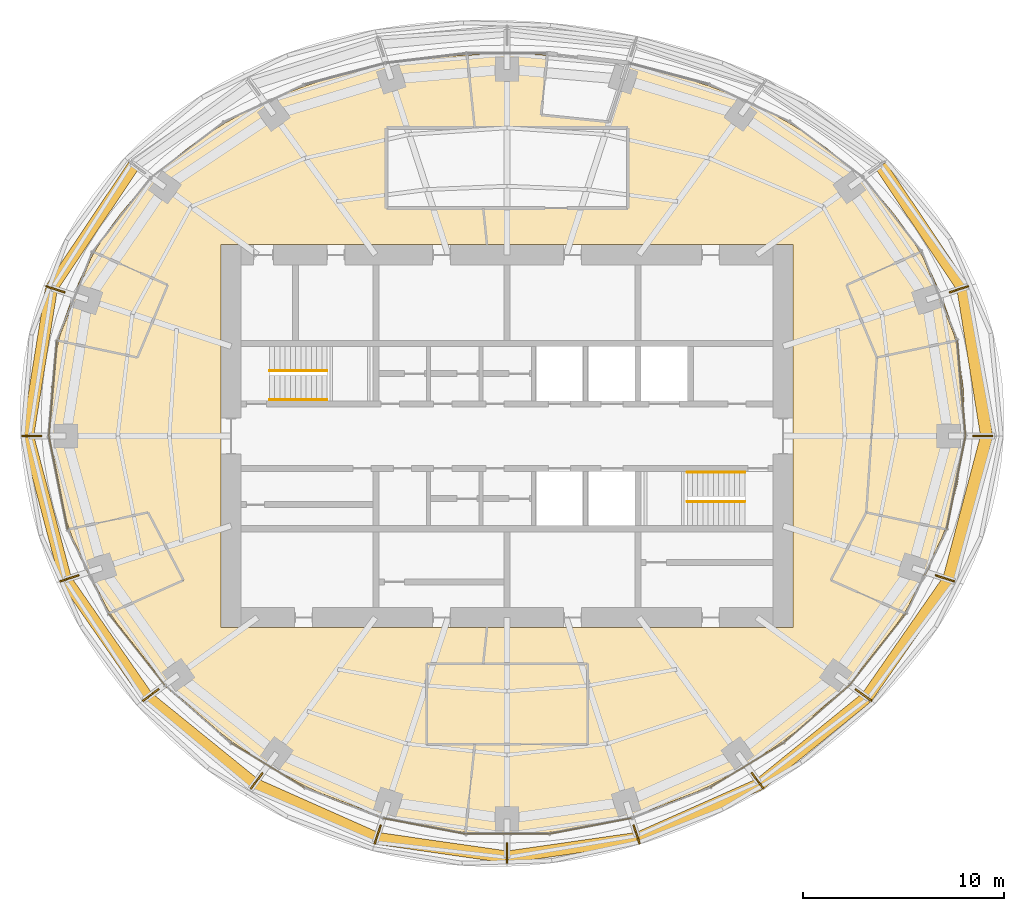
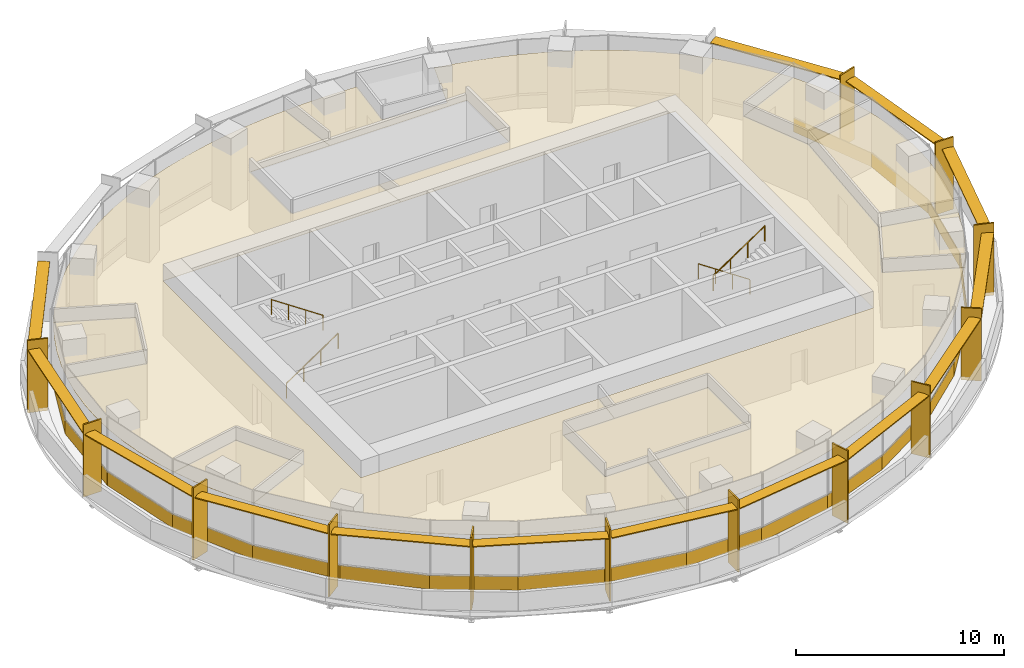
# One storey, part 14 of 15: 27 coverings, 27 shading devices, 4 railings.
"""IFC4 building model written with IfcOpenShell, lengths in metres."""

from ifc_helpers import new_model, si_unit, direction, frame, origin, origin_2d, place, context, subcontext, project, spatial, polyline, rectangle, circle, outline, extrude, material, layer, layer_set, type_object, element, save


model = new_model("IFC4")

# Units and contexts
model_context = context("Model", 3, precision=1e-05, world=origin(), true_north=direction((0.0, 1.0)))
body_context = subcontext(model_context, "Body", "Model", "MODEL_VIEW")
ifc_project = project(units=[si_unit("LENGTHUNIT", "METRE"), si_unit("AREAUNIT", "SQUARE_METRE"), si_unit("VOLUMEUNIT", "CUBIC_METRE"), si_unit("PLANEANGLEUNIT", "RADIAN"), si_unit("MASSUNIT", "GRAM", prefix="KILO")], contexts=[model_context])

# Site, building, storey
site_placement = place(None, origin())
site = spatial("IfcSite", under=ifc_project, at=site_placement, CompositionType="ELEMENT")
building_placement = place(site_placement, origin())
building = spatial("IfcBuilding", under=site, at=building_placement, Name="Marramba Exchange Tower", CompositionType="ELEMENT")
storey_placement = place(building_placement, frame((0.0, 0.0, 251.800048828125)))
storey = spatial("IfcBuildingStorey", under=building, at=storey_placement, Name="L61", CompositionType="ELEMENT", Elevation=251.800048828125)

# Shading devices
ifc_material_1 = material(Name="Aluminium blade, timber-look bronze finish", Category="wood")
ifc_layer_1 = layer(ifc_material_1, 0.080078125)
ifc_layer_set_1 = layer_set([ifc_layer_1], Name="Floor-edge blade 1000x80")
shading_device_type_1 = type_object("IfcShadingDeviceType", Name="Floor-edge blade 1000x80", PredefinedType="USERDEFINED", material=ifc_layer_set_1)
for number, where, z_axis, x_axis, name in (
    (1, (23.60009765625, 0.0, -0.2001953125), (0.0, 0.0, 1.0), (1.0, 0.0, 0.0), "Floor-edge blade FB1 L61 TC01"),
    (2, (22.425048828125, 7.286376953125, -0.2001953125), (0.0, 0.0, 1.0), (0.951056516295, 0.309016994375, 0.0), "Floor-edge blade FB1 L61 TC02"),
    (3, (-22.425048828125, 7.286376953125, -0.2001953125), (0.0, 0.0, 1.0), (-0.951056516295, 0.309016994375, 0.0), "Floor-edge blade FB1 L61 TC10"),
    (4, (-23.60009765625, 0.0, -0.2001953125), (0.0, 0.0, 1.0), (-1.0, 0.0, 0.0), "Floor-edge blade FB1 L61 TC11"),
    (5, (-21.72607421875, -7.059326171875, -0.2001953125), (0.0, 0.0, 1.0), (-0.951056516295, -0.309016994375, 0.0), "Floor-edge blade FB1 L61 TC12"),
    (6, (-17.690673828125, -12.85302734375, -0.2001953125), (0.0, 0.0, 1.0), (-0.809016994375, -0.587785252292, 0.0), "Floor-edge blade FB1 L61 TC13"),
    (7, (-12.4296875, -17.10791015625, -0.2001953125), (0.0, 0.0, 1.0), (-0.587785252292, -0.809016994375, 0.0), "Floor-edge blade FB1 L61 TC14"),
    (8, (-6.4248046875, -19.77392578125, -0.2001953125), (0.0, 0.0, 1.0), (-0.309016994375, -0.951056516295, 0.0), "Floor-edge blade FB1 L61 TC15"),
    (9, (0.0, -20.696044921875, -0.2001953125), (0.0, 0.0, 1.0), (0.0, -1.0, 0.0), "Floor-edge blade FB1 L61 TC16"),
    (10, (6.4248046875, -19.77392578125, -0.2001953125), (0.0, 0.0, 1.0), (0.309016994375, -0.951056516295, 0.0), "Floor-edge blade FB1 L61 TC17"),
    (11, (12.4296875, -17.10791015625, -0.2001953125), (0.0, 0.0, 1.0), (0.587785252292, -0.809016994375, 0.0), "Floor-edge blade FB1 L61 TC18"),
    (12, (17.690673828125, -12.85302734375, -0.2001953125), (0.0, 0.0, 1.0), (0.809016994375, -0.587785252292, 0.0), "Floor-edge blade FB1 L61 TC19"),
    (13, (21.72607421875, -7.059326171875, -0.2001953125), (0.0, 0.0, 1.0), (0.951056516295, -0.309016994375, 0.0), "Floor-edge blade FB1 L61 TC20"),
):
    element("IfcShadingDevice", number, at=place(storey_placement, frame(where, z_axis=z_axis, x_axis=x_axis)), inside=storey, type_object=shading_device_type_1, Name=name, ObjectType="FIN", PredefinedType="USERDEFINED", context=body_context, shape_type="SweptSolid", body=[
        extrude(rectangle(XDim=1.0, YDim=0.080078125, at=origin_2d()), origin(), (0.0, 0.0, 1.0), 4.239990234375),
    ])
ifc_material_2 = material(Name="Aluminium sunshade, bronze anodised", Category="aluminium")
ifc_layer_2 = layer(ifc_material_2, 0.06005859375)
ifc_layer_set_2 = layer_set([ifc_layer_2], Name="SUNSHADE blade 600x60")
shading_device_type_2 = type_object("IfcShadingDeviceType", Name="SUNSHADE blade 600x60", PredefinedType="USERDEFINED", material=ifc_layer_set_2)
shading_device_1_placement = place(storey_placement, frame((23.207763671875, 3.674072265625, 3.4599609375), z_axis=(0.0, 0.0, 1.0), x_axis=(-0.159157708434, 0.9872531711, 0.0)))
element("IfcShadingDevice", 14, at=shading_device_1_placement, inside=storey, type_object=shading_device_type_2, Name="Sunshade SS1 L61 bay 01", ObjectType="SUNSHADE", PredefinedType="USERDEFINED", context=body_context, shape_type="SweptSolid", body=[
    extrude(rectangle(XDim=7.363037109375, YDim=0.60009765625, at=origin_2d()), origin(), (0.0, 0.0, 1.0), 0.06005859375),
])
for number, where, z_axis, x_axis, name in (
    (15, (20.569091796875, 10.40283203125, 3.4599609375), (0.0, 0.0, 1.0), (-0.556539553467, 0.830821115179, 0.0), "Sunshade SS1 L61 bay 02"),
    (16, (-20.569091796875, 10.40283203125, 3.4599609375), (0.0, 0.0, 1.0), (-0.556539553467, -0.830821115179, 0.0), "Sunshade SS1 L61 bay 09"),
):
    element("IfcShadingDevice", number, at=place(storey_placement, frame(where, z_axis=z_axis, x_axis=x_axis)), inside=storey, type_object=shading_device_type_2, Name=name, ObjectType="SUNSHADE", PredefinedType="USERDEFINED", context=body_context, shape_type="SweptSolid", body=[
        extrude(rectangle(XDim=7.2734375, YDim=0.60009765625, at=origin_2d()), origin(), (0.0, 0.0, 1.0), 0.06005859375),
    ])
shading_device_2_placement = place(storey_placement, frame((-23.207763671875, 3.674072265625, 3.4599609375), z_axis=(0.0, 0.0, 1.0), x_axis=(-0.159157708434, -0.9872531711, 0.0)))
element("IfcShadingDevice", 17, at=shading_device_2_placement, inside=storey, type_object=shading_device_type_2, Name="Sunshade SS1 L61 bay 10", ObjectType="SUNSHADE", PredefinedType="USERDEFINED", context=body_context, shape_type="SweptSolid", body=[
    extrude(rectangle(XDim=7.363037109375, YDim=0.60009765625, at=origin_2d()), origin(), (0.0, 0.0, 1.0), 0.06005859375),
])
shading_device_3_placement = place(storey_placement, frame((-22.858154296875, -3.560546875, 3.4599609375), z_axis=(0.0, 0.0, 1.0), x_axis=(0.25571852004, -0.966751280583, 0.0)))
element("IfcShadingDevice", 18, at=shading_device_3_placement, inside=storey, type_object=shading_device_type_2, Name="Sunshade SS1 L61 bay 11", ObjectType="SUNSHADE", PredefinedType="USERDEFINED", context=body_context, shape_type="SweptSolid", body=[
    extrude(rectangle(XDim=7.285888671875, YDim=0.60009765625, at=origin_2d()), origin(), (0.0, 0.0, 1.0), 0.06005859375),
])
shading_device_4_placement = place(storey_placement, frame((-19.884521484375, -10.0458984375, 3.4599609375), z_axis=(0.0, 0.0, 1.0), x_axis=(0.570557728211, -0.821257498461, 0.0)))
element("IfcShadingDevice", 19, at=shading_device_4_placement, inside=storey, type_object=shading_device_type_2, Name="Sunshade SS1 L61 bay 12", ObjectType="SUNSHADE", PredefinedType="USERDEFINED", context=body_context, shape_type="SweptSolid", body=[
    extrude(rectangle(XDim=7.042724609375, YDim=0.60009765625, at=origin_2d()), origin(), (0.0, 0.0, 1.0), 0.06005859375),
])
shading_device_5_placement = place(storey_placement, frame((-15.199951171875, -15.1201171875, 3.4599609375), z_axis=(0.0, 0.0, 1.0), x_axis=(0.77692769033, -0.629589837909, 0.0)))
element("IfcShadingDevice", 20, at=shading_device_5_placement, inside=storey, type_object=shading_device_type_2, Name="Sunshade SS1 L61 bay 13", ObjectType="SUNSHADE", PredefinedType="USERDEFINED", context=body_context, shape_type="SweptSolid", body=[
    extrude(rectangle(XDim=6.74853515625, YDim=0.60009765625, at=origin_2d()), origin(), (0.0, 0.0, 1.0), 0.06005859375),
])
shading_device_6_placement = place(storey_placement, frame((-9.51708984375, -18.616943359375, 3.4599609375), z_axis=(0.0, 0.0, 1.0), x_axis=(0.913771139733, -0.406229373864, 0.0)))
element("IfcShadingDevice", 21, at=shading_device_6_placement, inside=storey, type_object=shading_device_type_2, Name="Sunshade SS1 L61 bay 14", ObjectType="SUNSHADE", PredefinedType="USERDEFINED", context=body_context, shape_type="SweptSolid", body=[
    extrude(rectangle(XDim=6.552490234375, YDim=0.60009765625, at=origin_2d()), origin(), (0.0, 0.0, 1.0), 0.06005859375),
])
for number, where, z_axis, x_axis, name in (
    (22, (-3.243408203125, -20.429931640625, 3.4599609375), (0.0, 0.0, 1.0), (0.989836541125, -0.142209781145, 0.0), "Sunshade SS1 L61 bay 15"),
    (23, (3.243408203125, -20.429931640625, 3.4599609375), (0.0, 0.0, 1.0), (0.989836541125, 0.142209781145, 0.0), "Sunshade SS1 L61 bay 16"),
):
    element("IfcShadingDevice", number, at=place(storey_placement, frame(where, z_axis=z_axis, x_axis=x_axis)), inside=storey, type_object=shading_device_type_2, Name=name, ObjectType="SUNSHADE", PredefinedType="USERDEFINED", context=body_context, shape_type="SweptSolid", body=[
        extrude(rectangle(XDim=6.473388671875, YDim=0.60009765625, at=origin_2d()), origin(), (0.0, 0.0, 1.0), 0.06005859375),
    ])
shading_device_7_placement = place(storey_placement, frame((9.51708984375, -18.616943359375, 3.4599609375), z_axis=(0.0, 0.0, 1.0), x_axis=(0.913771139733, 0.406229373864, 0.0)))
element("IfcShadingDevice", 24, at=shading_device_7_placement, inside=storey, type_object=shading_device_type_2, Name="Sunshade SS1 L61 bay 17", ObjectType="SUNSHADE", PredefinedType="USERDEFINED", context=body_context, shape_type="SweptSolid", body=[
    extrude(rectangle(XDim=6.552490234375, YDim=0.60009765625, at=origin_2d()), origin(), (0.0, 0.0, 1.0), 0.06005859375),
])
shading_device_8_placement = place(storey_placement, frame((15.199951171875, -15.1201171875, 3.4599609375), z_axis=(0.0, 0.0, 1.0), x_axis=(0.77692769033, 0.629589837909, 0.0)))
element("IfcShadingDevice", 25, at=shading_device_8_placement, inside=storey, type_object=shading_device_type_2, Name="Sunshade SS1 L61 bay 18", ObjectType="SUNSHADE", PredefinedType="USERDEFINED", context=body_context, shape_type="SweptSolid", body=[
    extrude(rectangle(XDim=6.74853515625, YDim=0.60009765625, at=origin_2d()), origin(), (0.0, 0.0, 1.0), 0.06005859375),
])
shading_device_9_placement = place(storey_placement, frame((19.884521484375, -10.0458984375, 3.4599609375), z_axis=(0.0, 0.0, 1.0), x_axis=(0.570557728211, 0.821257498461, 0.0)))
element("IfcShadingDevice", 26, at=shading_device_9_placement, inside=storey, type_object=shading_device_type_2, Name="Sunshade SS1 L61 bay 19", ObjectType="SUNSHADE", PredefinedType="USERDEFINED", context=body_context, shape_type="SweptSolid", body=[
    extrude(rectangle(XDim=7.042724609375, YDim=0.60009765625, at=origin_2d()), origin(), (0.0, 0.0, 1.0), 0.06005859375),
])
shading_device_10_placement = place(storey_placement, frame((22.858154296875, -3.560546875, 3.4599609375), z_axis=(0.0, 0.0, 1.0), x_axis=(0.25571852004, 0.966751280583, 0.0)))
element("IfcShadingDevice", 27, at=shading_device_10_placement, inside=storey, type_object=shading_device_type_2, Name="Sunshade SS1 L61 bay 20", ObjectType="SUNSHADE", PredefinedType="USERDEFINED", context=body_context, shape_type="SweptSolid", body=[
    extrude(rectangle(XDim=7.285888671875, YDim=0.60009765625, at=origin_2d()), origin(), (0.0, 0.0, 1.0), 0.06005859375),
])

# Coverings
ifc_material_3 = material(Name="Aluminium spandrel panel, bronze anodised, insulated", Category="aluminium")
ifc_layer_3 = layer(ifc_material_3, 0.050048828125)
ifc_layer_set_3 = layer_set([ifc_layer_3], Name="Spandrel panel 800")
covering_type_1 = type_object("IfcCoveringType", Name="Spandrel panel 800", PredefinedType="CLADDING", material=ifc_layer_set_3)
covering_1_placement = place(storey_placement, frame((22.546142578125, 2.37451171875, 0.0), z_axis=(0.0, 0.0, 1.0), x_axis=(-0.085574001482, 0.996331817353, 0.0)))
element("IfcCovering", 28, at=covering_1_placement, inside=storey, type_object=covering_type_1, Name="Spandrel panel SP1 L61 F01", PredefinedType="CLADDING", context=body_context, shape_type="SweptSolid", body=[
    extrude(rectangle(XDim=4.766357421875, YDim=0.050048828125, at=origin_2d()), origin(), (0.0, 0.0, 1.0), 0.800048828125),
])
for number, where, z_axis, x_axis, name in (
    (29, (21.455810546875, 6.95361328125, 0.0), (0.0, 0.0, 1.0), (-0.37298308637, 0.927838141748, 0.0), "Spandrel panel SP1 L61 F02"),
    (30, (-21.455810546875, 6.95361328125, 0.0), (0.0, 0.0, 1.0), (-0.37298308637, -0.927838141748, 0.0), "Spandrel panel SP1 L61 F14"),
):
    element("IfcCovering", number, at=place(storey_placement, frame(where, z_axis=z_axis, x_axis=x_axis)), inside=storey, type_object=covering_type_1, Name=name, PredefinedType="CLADDING", context=body_context, shape_type="SweptSolid", body=[
        extrude(rectangle(XDim=4.752197265625, YDim=0.050048828125, at=origin_2d()), origin(), (0.0, 0.0, 1.0), 0.800048828125),
    ])
covering_2_placement = place(storey_placement, frame((-22.546142578125, 2.37451171875, 0.0), z_axis=(0.0, 0.0, 1.0), x_axis=(-0.085574001482, -0.996331817353, 0.0)))
element("IfcCovering", 31, at=covering_2_placement, inside=storey, type_object=covering_type_1, Name="Spandrel panel SP1 L61 F15", PredefinedType="CLADDING", context=body_context, shape_type="SweptSolid", body=[
    extrude(rectangle(XDim=4.766357421875, YDim=0.050048828125, at=origin_2d()), origin(), (0.0, 0.0, 1.0), 0.800048828125),
])
covering_3_placement = place(storey_placement, frame((-22.282470703125, -2.318359375, 0.0), z_axis=(0.0, 0.0, 1.0), x_axis=(0.197670531369, -0.980268514759, 0.0)))
element("IfcCovering", 32, at=covering_3_placement, inside=storey, type_object=covering_type_1, Name="Spandrel panel SP1 L61 F16", PredefinedType="CLADDING", context=body_context, shape_type="SweptSolid", body=[
    extrude(rectangle(XDim=4.730224609375, YDim=0.050048828125, at=origin_2d()), origin(), (0.0, 0.0, 1.0), 0.800048828125),
])
covering_4_placement = place(storey_placement, frame((-20.802490234375, -6.723876953125, 0.0), z_axis=(0.0, 0.0, 1.0), x_axis=(0.436514592932, -0.89969717692, 0.0)))
element("IfcCovering", 33, at=covering_4_placement, inside=storey, type_object=covering_type_1, Name="Spandrel panel SP1 L61 F17", PredefinedType="CLADDING", context=body_context, shape_type="SweptSolid", body=[
    extrude(rectangle(XDim=4.639404296875, YDim=0.050048828125, at=origin_2d()), origin(), (0.0, 0.0, 1.0), 0.800048828125),
])
covering_5_placement = place(storey_placement, frame((-18.396484375, -10.582275390625, 0.0), z_axis=(0.0, 0.0, 1.0), x_axis=(0.618290638357, -0.785949544513, 0.0)))
element("IfcCovering", 34, at=covering_5_placement, inside=storey, type_object=covering_type_1, Name="Spandrel panel SP1 L61 F18", PredefinedType="CLADDING", context=body_context, shape_type="SweptSolid", body=[
    extrude(rectangle(XDim=4.50732421875, YDim=0.050048828125, at=origin_2d()), origin(), (0.0, 0.0, 1.0), 0.800048828125),
])
covering_6_placement = place(storey_placement, frame((-15.358154296875, -13.791748046875, 0.0), z_axis=(0.0, 0.0, 1.0), x_axis=(0.752751054625, -0.658305286141, 0.0)))
element("IfcCovering", 35, at=covering_6_placement, inside=storey, type_object=covering_type_1, Name="Spandrel panel SP1 L61 F19", PredefinedType="CLADDING", context=body_context, shape_type="SweptSolid", body=[
    extrude(rectangle(XDim=4.3701171875, YDim=0.050048828125, at=origin_2d()), origin(), (0.0, 0.0, 1.0), 0.800048828125),
])
covering_7_placement = place(storey_placement, frame((-11.89208984375, -16.336669921875, 0.0), z_axis=(0.0, 0.0, 1.0), x_axis=(0.854704332048, -0.519115117077, 0.0)))
element("IfcCovering", 36, at=covering_7_placement, inside=storey, type_object=covering_type_1, Name="Spandrel panel SP1 L61 F20", PredefinedType="CLADDING", context=body_context, shape_type="SweptSolid", body=[
    extrude(rectangle(XDim=4.261962890625, YDim=0.050048828125, at=origin_2d()), origin(), (0.0, 0.0, 1.0), 0.800048828125),
])
covering_8_placement = place(storey_placement, frame((-8.116455078125, -18.2041015625, 0.0), z_axis=(0.0, 0.0, 1.0), x_axis=(0.931785135173, -0.363010277914, 0.0)))
element("IfcCovering", 37, at=covering_8_placement, inside=storey, type_object=covering_type_1, Name="Spandrel panel SP1 L61 F21", PredefinedType="CLADDING", context=body_context, shape_type="SweptSolid", body=[
    extrude(rectangle(XDim=4.194580078125, YDim=0.050048828125, at=origin_2d()), origin(), (0.0, 0.0, 1.0), 0.800048828125),
])
covering_9_placement = place(storey_placement, frame((-4.118896484375, -19.356201171875, 0.0), z_axis=(0.0, 0.0, 1.0), x_axis=(0.982193292652, -0.187873190928, 0.0)))
element("IfcCovering", 38, at=covering_9_placement, inside=storey, type_object=covering_type_1, Name="Spandrel panel SP1 L61 F22", PredefinedType="CLADDING", context=body_context, shape_type="SweptSolid", body=[
    extrude(rectangle(XDim=4.160888671875, YDim=0.050048828125, at=origin_2d()), origin(), (0.0, 0.0, 1.0), 0.800048828125),
])
covering_10_placement = place(storey_placement, frame((0.0, -19.7470703125, 0.0), z_axis=(0.0, 0.0, 1.0), x_axis=(1.0, 0.0, 0.0)))
element("IfcCovering", 39, at=covering_10_placement, inside=storey, type_object=covering_type_1, Name="Spandrel panel SP1 L61 F23", PredefinedType="CLADDING", context=body_context, shape_type="SweptSolid", body=[
    extrude(rectangle(XDim=4.151123046875, YDim=0.050048828125, at=origin_2d()), origin(), (0.0, 0.0, 1.0), 0.800048828125),
])
covering_11_placement = place(storey_placement, frame((4.118896484375, -19.356201171875, 0.0), z_axis=(0.0, 0.0, 1.0), x_axis=(0.982193292652, 0.187873190928, 0.0)))
element("IfcCovering", 40, at=covering_11_placement, inside=storey, type_object=covering_type_1, Name="Spandrel panel SP1 L61 F24", PredefinedType="CLADDING", context=body_context, shape_type="SweptSolid", body=[
    extrude(rectangle(XDim=4.160888671875, YDim=0.050048828125, at=origin_2d()), origin(), (0.0, 0.0, 1.0), 0.800048828125),
])
covering_12_placement = place(storey_placement, frame((8.116455078125, -18.2041015625, 0.0), z_axis=(0.0, 0.0, 1.0), x_axis=(0.931785135173, 0.363010277914, 0.0)))
element("IfcCovering", 41, at=covering_12_placement, inside=storey, type_object=covering_type_1, Name="Spandrel panel SP1 L61 F25", PredefinedType="CLADDING", context=body_context, shape_type="SweptSolid", body=[
    extrude(rectangle(XDim=4.194580078125, YDim=0.050048828125, at=origin_2d()), origin(), (0.0, 0.0, 1.0), 0.800048828125),
])
covering_13_placement = place(storey_placement, frame((11.89208984375, -16.336669921875, 0.0), z_axis=(0.0, 0.0, 1.0), x_axis=(0.854704332048, 0.519115117077, 0.0)))
element("IfcCovering", 42, at=covering_13_placement, inside=storey, type_object=covering_type_1, Name="Spandrel panel SP1 L61 F26", PredefinedType="CLADDING", context=body_context, shape_type="SweptSolid", body=[
    extrude(rectangle(XDim=4.261962890625, YDim=0.050048828125, at=origin_2d()), origin(), (0.0, 0.0, 1.0), 0.800048828125),
])
covering_14_placement = place(storey_placement, frame((15.358154296875, -13.791748046875, 0.0), z_axis=(0.0, 0.0, 1.0), x_axis=(0.752751054625, 0.658305286141, 0.0)))
element("IfcCovering", 43, at=covering_14_placement, inside=storey, type_object=covering_type_1, Name="Spandrel panel SP1 L61 F27", PredefinedType="CLADDING", context=body_context, shape_type="SweptSolid", body=[
    extrude(rectangle(XDim=4.3701171875, YDim=0.050048828125, at=origin_2d()), origin(), (0.0, 0.0, 1.0), 0.800048828125),
])
covering_15_placement = place(storey_placement, frame((18.396484375, -10.582275390625, 0.0), z_axis=(0.0, 0.0, 1.0), x_axis=(0.618290638357, 0.785949544513, 0.0)))
element("IfcCovering", 44, at=covering_15_placement, inside=storey, type_object=covering_type_1, Name="Spandrel panel SP1 L61 F28", PredefinedType="CLADDING", context=body_context, shape_type="SweptSolid", body=[
    extrude(rectangle(XDim=4.50732421875, YDim=0.050048828125, at=origin_2d()), origin(), (0.0, 0.0, 1.0), 0.800048828125),
])
covering_16_placement = place(storey_placement, frame((20.802490234375, -6.723876953125, 0.0), z_axis=(0.0, 0.0, 1.0), x_axis=(0.436514592932, 0.89969717692, 0.0)))
element("IfcCovering", 45, at=covering_16_placement, inside=storey, type_object=covering_type_1, Name="Spandrel panel SP1 L61 F29", PredefinedType="CLADDING", context=body_context, shape_type="SweptSolid", body=[
    extrude(rectangle(XDim=4.639404296875, YDim=0.050048828125, at=origin_2d()), origin(), (0.0, 0.0, 1.0), 0.800048828125),
])
covering_17_placement = place(storey_placement, frame((22.282470703125, -2.318359375, 0.0), z_axis=(0.0, 0.0, 1.0), x_axis=(0.197670531369, 0.980268514759, 0.0)))
element("IfcCovering", 46, at=covering_17_placement, inside=storey, type_object=covering_type_1, Name="Spandrel panel SP1 L61 F30", PredefinedType="CLADDING", context=body_context, shape_type="SweptSolid", body=[
    extrude(rectangle(XDim=4.730224609375, YDim=0.050048828125, at=origin_2d()), origin(), (0.0, 0.0, 1.0), 0.800048828125),
])

# Railings
ifc_material_4 = material(Name="Stainless steel handrail", Category="steel")
railing_type = type_object("IfcRailingType", Name="Stair handrail 900", PredefinedType="HANDRAIL", material=ifc_material_4)
railing_1_placement = place(storey_placement, frame((-11.800048828125, 1.800048828125, 0.175048828125)))
element("IfcRailing", 47, at=railing_1_placement, inside=storey, type_object=railing_type, Name="Handrail HR1 ST1 L61 flight 1", PredefinedType="HANDRAIL", context=body_context, shape_type="SweptSolid", body=[
    extrude(circle(Radius=0.02392578125, at=origin_2d()), frame((0.0, 0.0, 0.8759765625), z_axis=(0.829623704247, 0.0, 0.558322943601), x_axis=(0.0, 1.0, 0.0)), (0.0, 0.0, 1.0), 3.447509765625),
    extrude(circle(Radius=0.02099609375, at=origin_2d()), origin(), (0.0, 0.0, 1.0), 0.851806640625),
    extrude(circle(Radius=0.02099609375, at=origin_2d()), frame((0.953369140625, 0.0, 0.6416015625)), (0.0, 0.0, 1.0), 0.851806640625),
    extrude(circle(Radius=0.02099609375, at=origin_2d()), frame((1.90673828125, 0.0, 1.283203125)), (0.0, 0.0, 1.0), 0.851806640625),
    extrude(circle(Radius=0.02099609375, at=origin_2d()), frame((2.860107421875, 0.0, 1.9248046875)), (0.0, 0.0, 1.0), 0.851806640625),
])
railing_2_placement = place(storey_placement, frame((-8.93994140625, 3.25, 2.27490234375)))
element("IfcRailing", 48, at=railing_2_placement, inside=storey, type_object=railing_type, Name="Handrail HR1 ST1 L61 flight 2", PredefinedType="HANDRAIL", context=body_context, shape_type="SweptSolid", body=[
    extrude(circle(Radius=0.02392578125, at=origin_2d()), frame((0.0, 0.0, 0.8759765625), z_axis=(-0.829590901723, 0.0, 0.558371682465), x_axis=(0.0, -1.0, 0.0)), (0.0, 0.0, 1.0), 3.447509765625),
    extrude(circle(Radius=0.02099609375, at=origin_2d()), origin(), (0.0, 0.0, 1.0), 0.851806640625),
    extrude(circle(Radius=0.02099609375, at=origin_2d()), frame((-0.953369140625, 0.0, 0.6416015625)), (0.0, 0.0, 1.0), 0.851806640625),
    extrude(circle(Radius=0.02099609375, at=origin_2d()), frame((-1.90673828125, 0.0, 1.283447265625)), (0.0, 0.0, 1.0), 0.851806640625),
    extrude(circle(Radius=0.02099609375, at=origin_2d()), frame((-2.860107421875, 0.0, 1.925048828125)), (0.0, 0.0, 1.0), 0.851806640625),
])
railing_3_placement = place(storey_placement, frame((11.800048828125, -1.800048828125, 0.175048828125)))
element("IfcRailing", 49, at=railing_3_placement, inside=storey, type_object=railing_type, Name="Handrail HR1 ST2 L61 flight 1", PredefinedType="HANDRAIL", context=body_context, shape_type="SweptSolid", body=[
    extrude(circle(Radius=0.02392578125, at=origin_2d()), frame((0.0, 0.0, 0.8759765625), z_axis=(-0.829623704247, 0.0, 0.558322943601), x_axis=(0.0, -1.0, 0.0)), (0.0, 0.0, 1.0), 3.447509765625),
    extrude(circle(Radius=0.02099609375, at=origin_2d()), origin(), (0.0, 0.0, 1.0), 0.851806640625),
    extrude(circle(Radius=0.02099609375, at=origin_2d()), frame((-0.953369140625, 0.0, 0.6416015625)), (0.0, 0.0, 1.0), 0.851806640625),
    extrude(circle(Radius=0.02099609375, at=origin_2d()), frame((-1.90673828125, 0.0, 1.283203125)), (0.0, 0.0, 1.0), 0.851806640625),
    extrude(circle(Radius=0.02099609375, at=origin_2d()), frame((-2.860107421875, 0.0, 1.9248046875)), (0.0, 0.0, 1.0), 0.851806640625),
])
railing_4_placement = place(storey_placement, frame((8.93994140625, -3.25, 2.27490234375)))
element("IfcRailing", 50, at=railing_4_placement, inside=storey, type_object=railing_type, Name="Handrail HR1 ST2 L61 flight 2", PredefinedType="HANDRAIL", context=body_context, shape_type="SweptSolid", body=[
    extrude(circle(Radius=0.02392578125, at=origin_2d()), frame((0.0, 0.0, 0.8759765625), z_axis=(0.829590901723, 0.0, 0.558371682465), x_axis=(0.0, 1.0, 0.0)), (0.0, 0.0, 1.0), 3.447509765625),
    extrude(circle(Radius=0.02099609375, at=origin_2d()), origin(), (0.0, 0.0, 1.0), 0.851806640625),
    extrude(circle(Radius=0.02099609375, at=origin_2d()), frame((0.953369140625, 0.0, 0.6416015625)), (0.0, 0.0, 1.0), 0.851806640625),
    extrude(circle(Radius=0.02099609375, at=origin_2d()), frame((1.90673828125, 0.0, 1.283447265625)), (0.0, 0.0, 1.0), 0.851806640625),
    extrude(circle(Radius=0.02099609375, at=origin_2d()), frame((2.860107421875, 0.0, 1.925048828125)), (0.0, 0.0, 1.0), 0.851806640625),
])

# Coverings
ifc_material_5 = material(Name="Mineral fibre ceiling tiles", Category="gypsum")
ifc_layer_4 = layer(ifc_material_5, 0.02001953125)
ifc_layer_set_4 = layer_set([ifc_layer_4], Name="Suspended ceiling 20")
covering_type_2 = type_object("IfcCoveringType", Name="Suspended ceiling 20", PredefinedType="CEILING", material=ifc_layer_set_4)
covering_18_placement = place(storey_placement, frame((0.0, 0.0, 3.199951171875)))
element("IfcCovering", 51, at=covering_18_placement, inside=storey, type_object=covering_type_2, Name="Ceiling CL1 L61 Executive Support Office", PredefinedType="CEILING", context=body_context, shape_type="SweptSolid", body=[
    extrude(outline(polyline([(14.199951171875, 9.5), (-0.99853515625, 9.5), (-1.187744140625, 11.300048828125), (6.0, 11.300048828125), (6.0, 15.300048828125), (-1.608154296875, 15.300048828125), (-1.98828125, 18.91748046875), (-0.99365234375, 18.9599609375), (0.0, 18.97412109375), (0.99365234375, 18.9599609375), (1.98828125, 18.91748046875), (1.6748046875, 15.933837890625), (5.064697265625, 15.587646484375), (5.99169921875, 18.44091796875), (7.0, 18.23583984375), (8.010498046875, 17.99169921875), (9.021240234375, 17.705078125), (10.030517578125, 17.37353515625), (11.035888671875, 16.993896484375), (12.033935546875, 16.563232421875), (13.020751953125, 16.079345703125), (13.99169921875, 15.539306640625), (14.94189453125, 14.94189453125), (15.865478515625, 14.285400390625), (16.756591796875, 13.569091796875), (17.608642578125, 12.79345703125), (18.415283203125, 11.958984375), (19.169921875, 11.067626953125), (19.86572265625, 10.1220703125), (20.49658203125, 9.125732421875), (16.84228515625, 7.498779296875), (18.351318359375, 3.900634765625), (17.82421875, -3.78857421875), (16.0625, -7.151611328125), (19.716796875, -8.7783203125), (19.081298828125, -9.722412109375), (18.403564453125, -10.625244140625), (17.68798828125, -11.48681640625), (16.938232421875, -12.306396484375), (16.158203125, -13.08447265625), (15.35009765625, -13.8212890625), (14.5166015625, -14.5166015625), (13.659912109375, -15.1708984375), (12.781494140625, -15.783935546875), (11.883056640625, -16.355712890625), (10.9658203125, -16.885498046875), (10.030517578125, -17.37353515625), (9.0791015625, -17.818603515625), (8.1123046875, -18.22021484375), (7.131103515625, -18.577392578125), (6.137451171875, -18.889404296875), (5.132568359375, -19.155029296875), (4.1181640625, -19.373779296875), (3.095703125, -19.544921875), (2.067138671875, -19.66748046875), (1.03466796875, -19.741455078125), (0.0, -19.76611328125), (-1.03466796875, -19.741455078125), (-2.067138671875, -19.66748046875), (-1.608154296875, -15.300048828125), (4.0, -15.300048828125), (4.0, -11.300048828125), (-1.187744140625, -11.300048828125), (-0.99853515625, -9.5), (14.199951171875, -9.5), (14.199951171875, 9.5)])), origin(), (0.0, 0.0, 1.0), 0.02001953125),
])
covering_19_placement = place(storey_placement, frame((0.0, 0.0, 3.199951171875)))
element("IfcCovering", 52, at=covering_19_placement, inside=storey, type_object=covering_type_2, Name="Ceiling CL1 L61 Strategy Office", PredefinedType="CEILING", context=body_context, shape_type="SweptSolid", body=[
    extrude(outline(polyline([(-4.1181640625, -19.373779296875), (-5.132568359375, -19.155029296875), (-6.137451171875, -18.889404296875), (-7.131103515625, -18.577392578125), (-8.1123046875, -18.22021484375), (-9.0791015625, -17.818603515625), (-10.030517578125, -17.37353515625), (-10.9658203125, -16.885498046875), (-11.883056640625, -16.355712890625), (-12.781494140625, -15.783935546875), (-13.659912109375, -15.1708984375), (-14.5166015625, -14.5166015625), (-15.35009765625, -13.8212890625), (-16.158203125, -13.08447265625), (-16.938232421875, -12.306396484375), (-17.68798828125, -11.48681640625), (-18.403564453125, -10.625244140625), (-19.081298828125, -9.722412109375), (-19.716796875, -8.7783203125), (-16.0625, -7.151611328125), (-17.82421875, -3.78857421875), (-21.73681640625, -4.620361328125), (-22.08447265625, -3.497802734375), (-22.35888671875, -2.35009765625), (-22.555419921875, -1.18212890625), (-22.669921875, 0.0), (-22.69970703125, 1.189697265625), (-22.642333984375, 2.3798828125), (-22.4970703125, 3.563232421875), (-22.263916015625, 4.732421875), (-18.351318359375, 3.900634765625), (-16.84228515625, 7.498779296875), (-20.49658203125, 9.125732421875), (-19.86572265625, 10.1220703125), (-19.169921875, 11.067626953125), (-18.415283203125, 11.958984375), (-17.608642578125, 12.79345703125), (-16.756591796875, 13.569091796875), (-15.865478515625, 14.285400390625), (-14.94189453125, 14.94189453125), (-13.99169921875, 15.539306640625), (-13.020751953125, 16.079345703125), (-12.033935546875, 16.563232421875), (-11.035888671875, 16.993896484375), (-10.030517578125, 17.37353515625), (-9.021240234375, 17.705078125), (-8.010498046875, 17.99169921875), (-7.0, 18.23583984375), (-5.99169921875, 18.44091796875), (-4.986328125, 18.609375), (-3.984130859375, 18.74365234375), (-2.98486328125, 18.845703125), (-1.98828125, 18.91748046875), (-1.608154296875, 15.300048828125), (-6.0, 15.300048828125), (-6.0, 11.300048828125), (-1.187744140625, 11.300048828125), (-0.99853515625, 9.5), (-14.199951171875, 9.5), (-14.199951171875, -9.5), (-0.99853515625, -9.5), (-1.178955078125, -11.217041015625), (-1.187744140625, -11.300048828125), (-4.0, -11.300048828125), (-4.0, -15.300048828125), (-1.608154296875, -15.300048828125), (-2.067138671875, -19.66748046875), (-3.095703125, -19.544921875), (-4.1181640625, -19.373779296875)])), origin(), (0.0, 0.0, 1.0), 0.02001953125),
])
covering_20_placement = place(storey_placement, frame((0.0, 0.0, 3.199951171875)))
element("IfcCovering", 53, at=covering_20_placement, inside=storey, type_object=covering_type_2, Name="Ceiling CL1 L61 Executive Office 1", PredefinedType="CEILING", context=body_context, shape_type="SweptSolid", body=[
    extrude(outline(polyline([(21.67236328125, -4.7890625), (21.32080078125, -5.712890625), (20.841796875, -6.77197265625), (20.305419921875, -7.79443359375), (19.9228515625, -8.433837890625), (19.716796875, -8.7783203125), (16.0625, -7.151611328125), (17.82421875, -3.78857421875), (21.73681640625, -4.620361328125), (21.67236328125, -4.7890625)])), origin(), (0.0, 0.0, 1.0), 0.02001953125),
])
covering_21_placement = place(storey_placement, frame((0.0, 0.0, 3.199951171875)))
element("IfcCovering", 54, at=covering_21_placement, inside=storey, type_object=covering_type_2, Name="Ceiling CL1 L61 Executive Office 2", PredefinedType="CEILING", context=body_context, shape_type="SweptSolid", body=[
    extrude(outline(polyline([(22.4970703125, 3.563232421875), (22.51513671875, 3.415771484375), (22.642333984375, 2.3798828125), (22.671142578125, 1.783447265625), (22.69970703125, 1.189697265625), (22.669921875, 0.0), (22.555419921875, -1.18212890625), (22.4951171875, -1.541015625), (22.35888671875, -2.35009765625), (22.08447265625, -3.497802734375), (21.73681640625, -4.620361328125), (17.82421875, -3.78857421875), (18.351318359375, 3.900634765625), (22.263916015625, 4.732421875), (22.4970703125, 3.563232421875)])), origin(), (0.0, 0.0, 1.0), 0.02001953125),
])
covering_22_placement = place(storey_placement, frame((0.0, 0.0, 3.199951171875)))
element("IfcCovering", 55, at=covering_22_placement, inside=storey, type_object=covering_type_2, Name="Ceiling CL1 L61 Executive Office 3", PredefinedType="CEILING", context=body_context, shape_type="SweptSolid", body=[
    extrude(outline(polyline([(20.89794921875, 8.37841796875), (21.056640625, 8.0830078125), (21.35400390625, 7.416748046875), (21.540771484375, 6.9990234375), (21.9443359375, 5.8798828125), (22.263916015625, 4.732421875), (18.351318359375, 3.900634765625), (16.84228515625, 7.498779296875), (20.49658203125, 9.125732421875), (20.89794921875, 8.37841796875)])), origin(), (0.0, 0.0, 1.0), 0.02001953125),
])
covering_23_placement = place(storey_placement, frame((0.0, 0.0, 3.199951171875)))
element("IfcCovering", 56, at=covering_23_placement, inside=storey, type_object=covering_type_2, Name="Ceiling CL1 L61 Executive Office 4", PredefinedType="CEILING", context=body_context, shape_type="SweptSolid", body=[
    extrude(outline(polyline([(-21.9443359375, 5.8798828125), (-21.540771484375, 6.9990234375), (-21.35400390625, 7.416748046875), (-21.056640625, 8.0830078125), (-20.89794921875, 8.37841796875), (-20.49658203125, 9.125732421875), (-16.84228515625, 7.498779296875), (-18.351318359375, 3.900634765625), (-22.263916015625, 4.732421875), (-21.9443359375, 5.8798828125)])), origin(), (0.0, 0.0, 1.0), 0.02001953125),
])
covering_24_placement = place(storey_placement, frame((0.0, 0.0, 3.199951171875)))
element("IfcCovering", 57, at=covering_24_placement, inside=storey, type_object=covering_type_2, Name="Ceiling CL1 L61 Executive Office 5", PredefinedType="CEILING", context=body_context, shape_type="SweptSolid", body=[
    extrude(outline(polyline([(-19.9228515625, -8.433837890625), (-20.305419921875, -7.79443359375), (-20.841796875, -6.77197265625), (-21.32080078125, -5.712890625), (-21.67236328125, -4.7890625), (-21.73681640625, -4.620361328125), (-17.82421875, -3.78857421875), (-16.0625, -7.151611328125), (-19.716796875, -8.7783203125), (-19.9228515625, -8.433837890625)])), origin(), (0.0, 0.0, 1.0), 0.02001953125),
])
covering_25_placement = place(storey_placement, frame((0.0, 0.0, 3.199951171875)))
element("IfcCovering", 58, at=covering_25_placement, inside=storey, type_object=covering_type_2, Name="Ceiling CL1 L61 Pantry", PredefinedType="CEILING", context=body_context, shape_type="SweptSolid", body=[
    extrude(outline(polyline([(4.0, -11.300048828125), (4.0, -15.300048828125), (-4.0, -15.300048828125), (-4.0, -11.300048828125), (4.0, -11.300048828125)])), origin(), (0.0, 0.0, 1.0), 0.02001953125),
])

save(model, "model.ifc")
